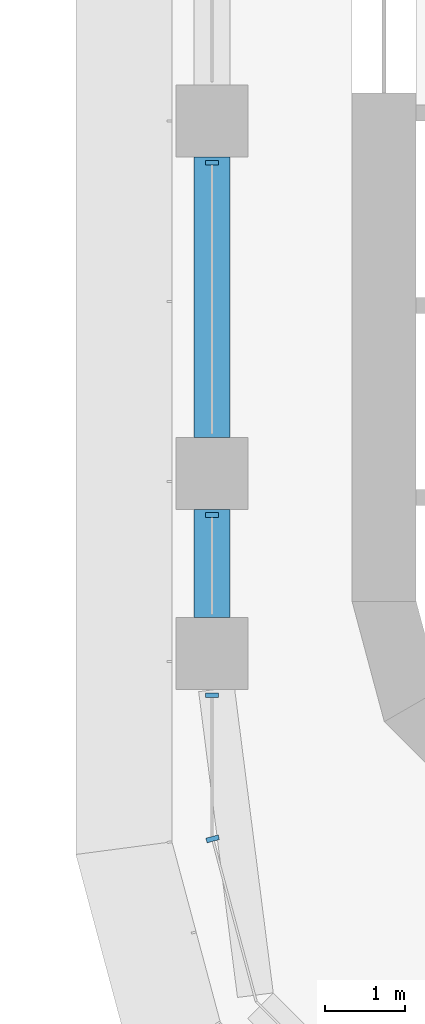
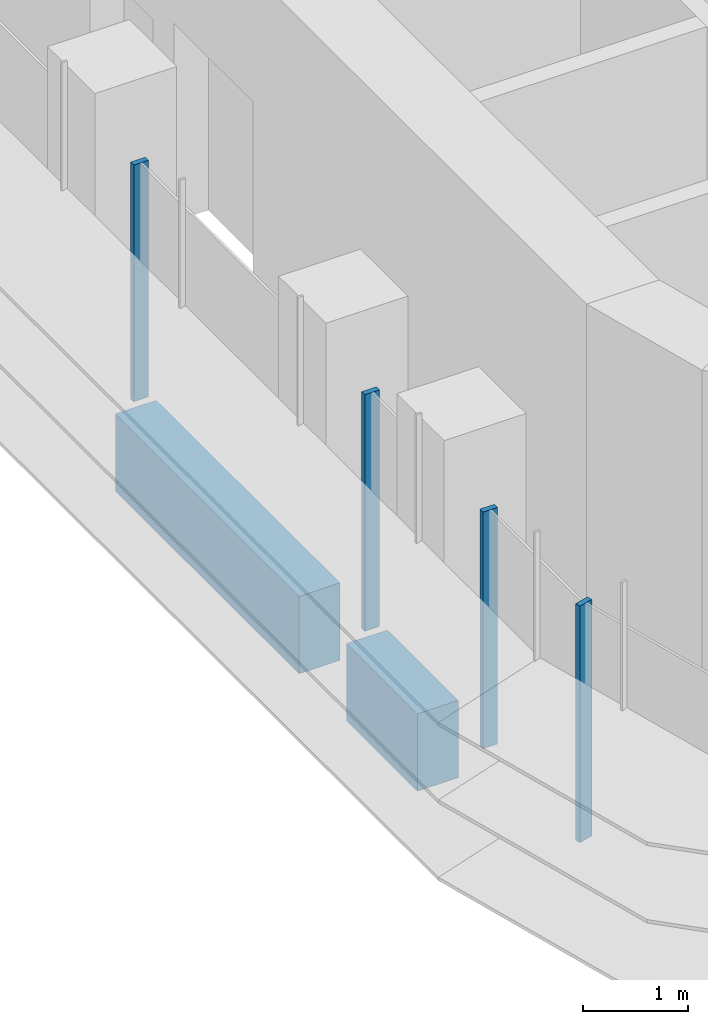
# One storey, part 2 of 22: 4 members, 2 beams, 2 elements without a shape of their own.
"""IFC4 building model written with IfcOpenShell, lengths in metres."""

from ifc_helpers import new_model, si_unit, direction, frame, origin, origin_2d, place, context, subcontext, project, spatial, polyline, rectangle, outline, extrude, source, transform, mapped, material, material_profile, profile_set, type_object, element, aggregate, save


model = new_model("IFC4")

# Units and contexts
model_context = context("Model", 3, precision=1e-05, world=origin(), true_north=direction((0.0, 1.0)))
body_context = subcontext(model_context, "Body", "Model", "MODEL_VIEW")
ifc_project = project(units=[si_unit("LENGTHUNIT", "METRE"), si_unit("AREAUNIT", "SQUARE_METRE"), si_unit("VOLUMEUNIT", "CUBIC_METRE"), si_unit("PLANEANGLEUNIT", "RADIAN"), si_unit("MASSUNIT", "GRAM", prefix="KILO")], contexts=[model_context])

# Site, building, storey
site_placement = place(None, origin())
site = spatial("IfcSite", under=ifc_project, at=site_placement, CompositionType="ELEMENT")
building_placement = place(site_placement, origin())
building = spatial("IfcBuilding", under=site, at=building_placement, Name="Zarbagh Exchange Tower", CompositionType="ELEMENT")
storey_placement = place(building_placement, frame((0.0, 0.0, 98.0)))
storey = spatial("IfcBuildingStorey", under=building, at=storey_placement, Name="L22", CompositionType="ELEMENT", Elevation=98.0)

# Beams
ifc_material_1 = material(Name="Concrete C60/75", Category="concrete")
ifc_material_profile = material_profile(ifc_material_1, rectangle(XDim=0.449951171875, YDim=0.89990234375, at=origin_2d()), Name="RC spandrel beam 450 x 900 C60/75")
ifc_profile_set = profile_set([ifc_material_profile], Name="Concrete C60/75")
beam_type = type_object("IfcBeamType", Name="RC spandrel beam 450 x 900 C60/75", PredefinedType="SPANDREL", material=ifc_profile_set)
beam_1_placement = place(storey_placement, frame((-6.25, -26.449951171875, -0.60009765625), z_axis=(0.0, 1.0, 0.0), x_axis=(-1.0, 0.0, 0.0)))
element("IfcBeam", 1, at=beam_1_placement, inside=storey, type_object=beam_type, Name="RC spandrel beam", PredefinedType="SPANDREL", context=body_context, shape_type="SweptSolid", body=[
    extrude(rectangle(XDim=0.449951171875, YDim=0.89990234375, at=origin_2d()), origin(), (0.0, 0.0, 1.0), 1.349853515625),
])
beam_2_placement = place(storey_placement, frame((-6.25, -24.199951171875, -0.60009765625), z_axis=(0.0, 1.0, 0.0), x_axis=(-1.0, 0.0, 0.0)))
element("IfcBeam", 2, at=beam_2_placement, inside=storey, type_object=beam_type, Name="RC spandrel beam", PredefinedType="SPANDREL", context=body_context, shape_type="SweptSolid", body=[
    extrude(rectangle(XDim=0.449951171875, YDim=0.89990234375, at=origin_2d()), origin(), (0.0, 0.0, 1.0), 3.5),
])

# Curtain wall, members
ifc_material_2 = material(Name="Anodised aluminium frame and glazing", Category="aluminium")
curtain_wall_type = type_object("IfcCurtainWallType", Name="CWA Ribbon glazing, lower zones", PredefinedType="NOTDEFINED", material=ifc_material_2)
curtain_wall_1_placement = place(storey_placement, origin())
curtain_wall_1 = element("IfcCurtainWall", 3, at=curtain_wall_1_placement, inside=storey, type_object=curtain_wall_type, Name="CWA44 curtain wall", PredefinedType="NOTDEFINED")
ifc_material_3 = material(Name="Anodised aluminium frame", Category="aluminium")
member_type = type_object("IfcMemberType", Name="MUA Mullion, anodised aluminium frame", PredefinedType="MULLION", material=ifc_material_3)
shared_shape = source(origin(), body_context, "Body", "SweptSolid", [
    extrude(outline(polyline([(0.0, -0.080078125), (0.06005859375, -0.080078125), (0.06005859375, 0.080078125), (0.0, 0.080078125), (0.0, -0.080078125)])), origin(), (0.0, 0.0, 1.0), 2.75),
])
placement = place(storey_placement, origin())
member_1 = element("IfcMember", 4, at=placement, type_object=member_type, Name="CWA44 mullion 3.1", PredefinedType="MULLION", context=body_context, shape_type="MappedRepresentation", body=[
    mapped(shared_shape, transform((-6.25, -20.739990234375, 0.0), x_axis=(0.0, -1.0, 0.0), y_axis=(1.0, 0.0, 0.0), z_axis=(0.0, 0.0, 1.0))),
])
member_2 = element("IfcMember", 5, at=placement, type_object=member_type, Name="CWA44 mullion 4.1", PredefinedType="MULLION", context=body_context, shape_type="MappedRepresentation", body=[
    mapped(shared_shape, transform((-6.25, -25.14013671875, 0.0), x_axis=(0.0, -1.0, 0.0), y_axis=(1.0, 0.0, 0.0), z_axis=(0.0, 0.0, 1.0))),
])
member_3 = element("IfcMember", 6, at=placement, type_object=member_type, Name="CWA44 mullion 5.1", PredefinedType="MULLION", context=body_context, shape_type="MappedRepresentation", body=[
    mapped(shared_shape, transform((-6.25, -27.39013671875, 0.0), x_axis=(0.0, -1.0, 0.0), y_axis=(1.0, 0.0, 0.0), z_axis=(0.0, 0.0, 1.0))),
])
aggregate(curtain_wall_1, [member_1, member_2, member_3])

# Curtain wall, member
curtain_wall_2_placement = place(storey_placement, origin())
curtain_wall_2 = element("IfcCurtainWall", 7, at=curtain_wall_2_placement, inside=storey, type_object=curtain_wall_type, Name="CWA45 curtain wall", PredefinedType="NOTDEFINED")
member_4 = element("IfcMember", 8, at=placement, type_object=member_type, Name="CWA45 mullion 1.1", PredefinedType="MULLION", context=body_context, shape_type="MappedRepresentation", body=[
    mapped(shared_shape, transform((-6.25, -29.18408203125, 0.0), x_axis=(0.258824779902, -0.965924289636, 0.0), y_axis=(0.965924289636, 0.258824779902, 0.0), z_axis=(0.0, 0.0, 1.0))),
])
aggregate(curtain_wall_2, [member_4])

save(model, "model.ifc")
